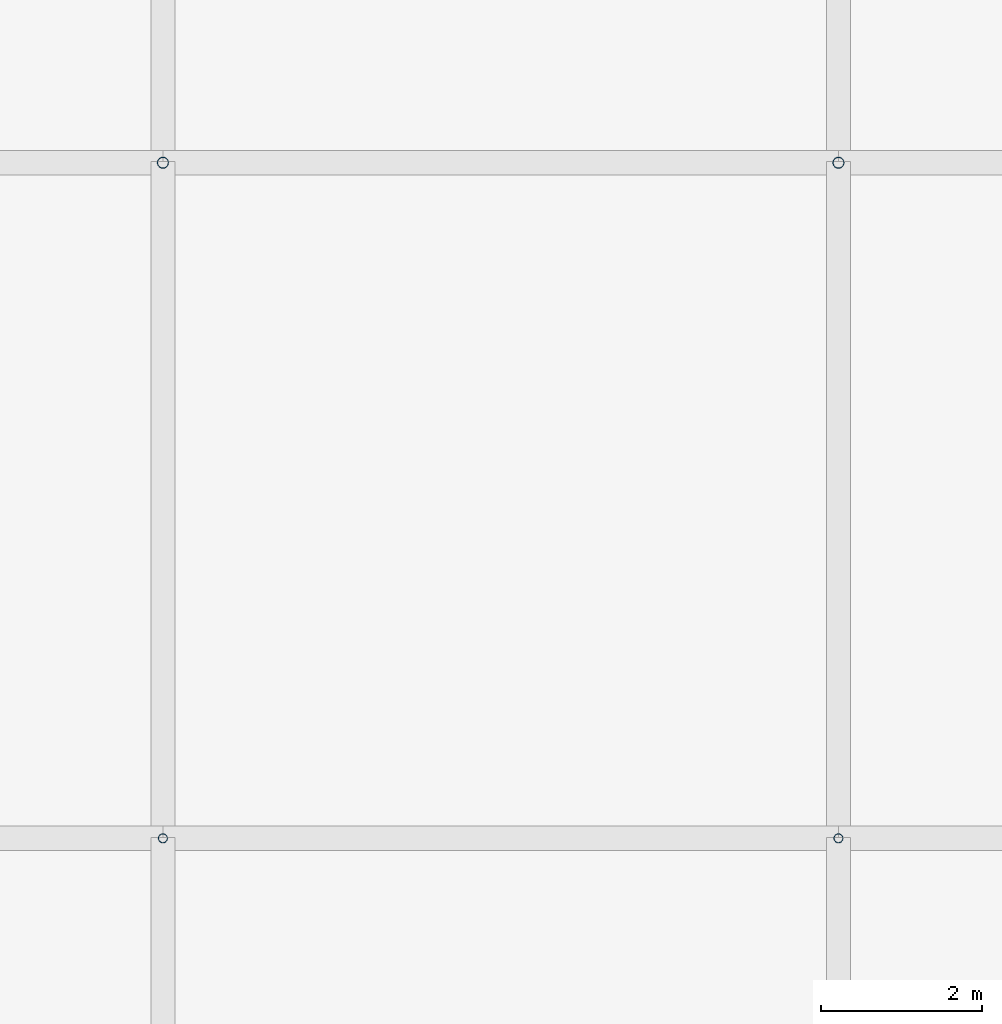
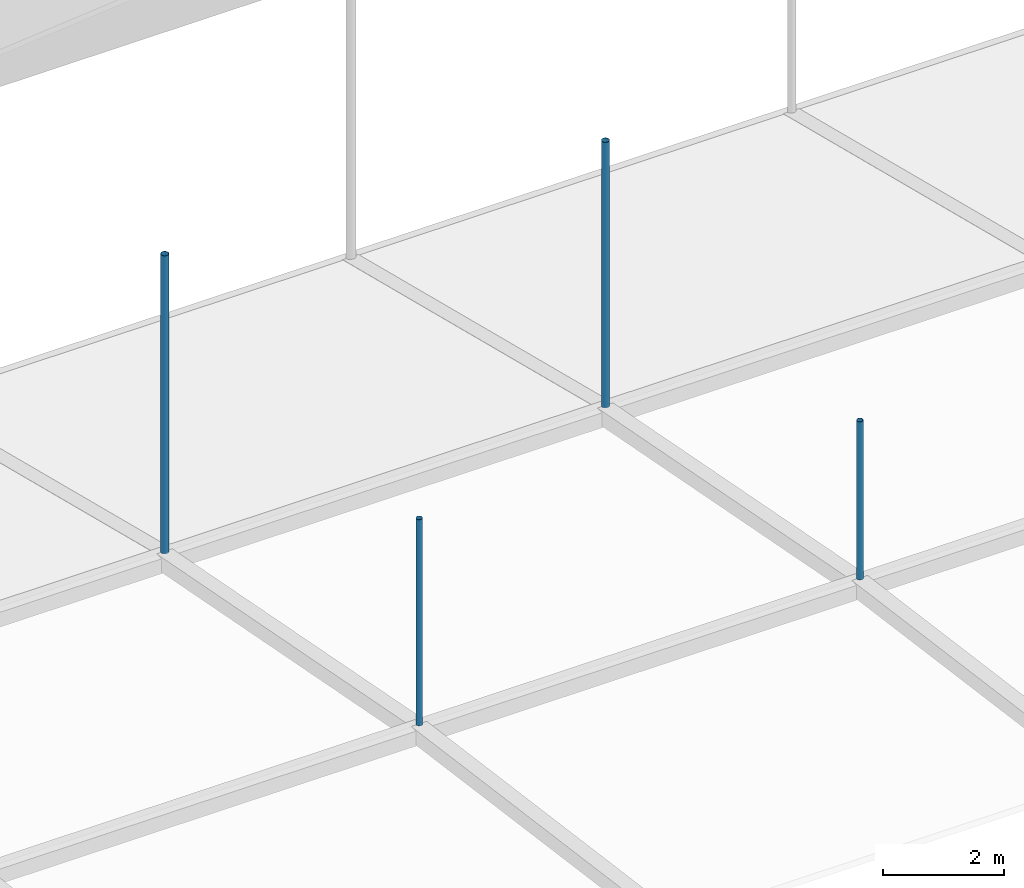
# One storey, part 56 of 111: 4 discrete accessories.
"""IFC4 building model written with IfcOpenShell, lengths in metres."""

from ifc_helpers import new_model, si_unit, direction, frame, origin, origin_2d, place, context, subcontext, project, spatial, hollow_circle, extrude, material, material_profile, profile_set, type_object, element, save


model = new_model("IFC4")

# Units and contexts
model_context = context("Model", 3, precision=1e-05, world=origin(), true_north=direction((0.0, 1.0)))
body_context = subcontext(model_context, "Body", "Model", "MODEL_VIEW")
ifc_project = project(units=[si_unit("LENGTHUNIT", "METRE"), si_unit("AREAUNIT", "SQUARE_METRE"), si_unit("VOLUMEUNIT", "CUBIC_METRE"), si_unit("PLANEANGLEUNIT", "RADIAN"), si_unit("MASSUNIT", "GRAM", prefix="KILO")], contexts=[model_context])

# Site, building, storey
site_placement = place(None, origin())
site = spatial("IfcSite", under=ifc_project, at=site_placement, CompositionType="ELEMENT")
building_placement = place(site_placement, origin())
building = spatial("IfcBuilding", under=site, at=building_placement, Name="Rain Tree Exposition and Congress Centre", CompositionType="ELEMENT")
storey_placement = place(building_placement, frame((0.0, 0.0, 19.5)))
storey = spatial("IfcBuildingStorey", under=building, at=storey_placement, Name="RF", CompositionType="ELEMENT", Elevation=19.5)

# Discrete accessories
ifc_material_1 = material(Name="Steel S355J2H", Category="steel")
ifc_material_profile_1 = material_profile(ifc_material_1, hollow_circle(Radius=0.05712890625, WallThickness=0.00439453125, at=origin_2d()), Name="CHS 114x4.5")
ifc_profile_set_1 = profile_set([ifc_material_profile_1], Name="Steel S355J2H")
discrete_accessory_type_1 = type_object("IfcDiscreteAccessoryType", Name="Roof skin post CHS 114x4.5", PredefinedType="BRACKET", material=ifc_profile_set_1)
discrete_accessory_1_placement = place(storey_placement, frame((33.60009765625, 176.39990234375, 4.843017578125), z_axis=(0.0, 0.0, 1.0), x_axis=(1.0, 0.0, 0.0)))
element("IfcDiscreteAccessory", 1, at=discrete_accessory_1_placement, inside=storey, type_object=discrete_accessory_type_1, Name="Roof skin post A139", PredefinedType="BRACKET", context=body_context, shape_type="SweptSolid", body=[
    extrude(hollow_circle(Radius=0.05712890625, WallThickness=0.00439453125, at=origin_2d()), origin(), (0.0, 0.0, 1.0), 4.158935546875),
])
discrete_accessory_2_placement = place(storey_placement, frame((42.0, 176.39990234375, 4.843017578125), z_axis=(0.0, 0.0, 1.0), x_axis=(1.0, 0.0, 0.0)))
element("IfcDiscreteAccessory", 2, at=discrete_accessory_2_placement, inside=storey, type_object=discrete_accessory_type_1, Name="Roof skin post A140", PredefinedType="BRACKET", context=body_context, shape_type="SweptSolid", body=[
    extrude(hollow_circle(Radius=0.05712890625, WallThickness=0.00439453125, at=origin_2d()), origin(), (0.0, 0.0, 1.0), 3.18994140625),
])
ifc_material_2 = material(Name="Steel S355J2H", Category="steel")
ifc_material_profile_2 = material_profile(ifc_material_2, hollow_circle(Radius=0.06982421875, WallThickness=0.0048828125, at=origin_2d()), Name="CHS 140x5")
ifc_profile_set_2 = profile_set([ifc_material_profile_2], Name="Steel S355J2H")
discrete_accessory_type_2 = type_object("IfcDiscreteAccessoryType", Name="Roof skin post CHS 140x5", PredefinedType="BRACKET", material=ifc_profile_set_2)
discrete_accessory_3_placement = place(storey_placement, frame((33.60009765625, 184.800048828125, 3.22412109375), z_axis=(0.0, 0.0, 1.0), x_axis=(1.0, 0.0, 0.0)))
element("IfcDiscreteAccessory", 3, at=discrete_accessory_3_placement, inside=storey, type_object=discrete_accessory_type_2, Name="Roof skin post A154", PredefinedType="BRACKET", context=body_context, shape_type="SweptSolid", body=[
    extrude(hollow_circle(Radius=0.06982421875, WallThickness=0.0048828125, at=origin_2d()), origin(), (0.0, 0.0, 1.0), 6.009033203125),
])
discrete_accessory_4_placement = place(storey_placement, frame((42.0, 184.800048828125, 3.22412109375), z_axis=(0.0, 0.0, 1.0), x_axis=(1.0, 0.0, 0.0)))
element("IfcDiscreteAccessory", 4, at=discrete_accessory_4_placement, inside=storey, type_object=discrete_accessory_type_2, Name="Roof skin post A155", PredefinedType="BRACKET", context=body_context, shape_type="SweptSolid", body=[
    extrude(hollow_circle(Radius=0.06982421875, WallThickness=0.0048828125, at=origin_2d()), origin(), (0.0, 0.0, 1.0), 5.353759765625),
])

save(model, "model.ifc")
